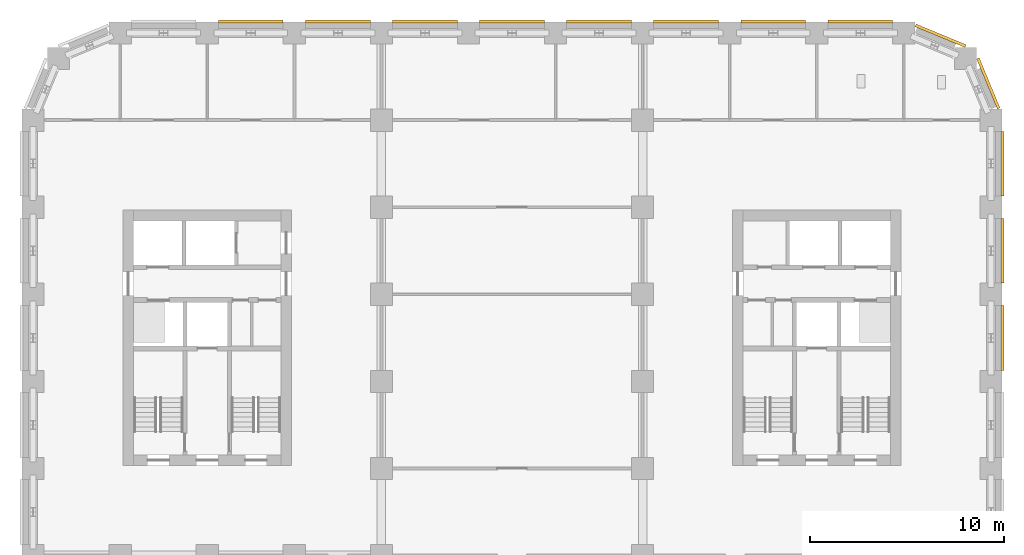
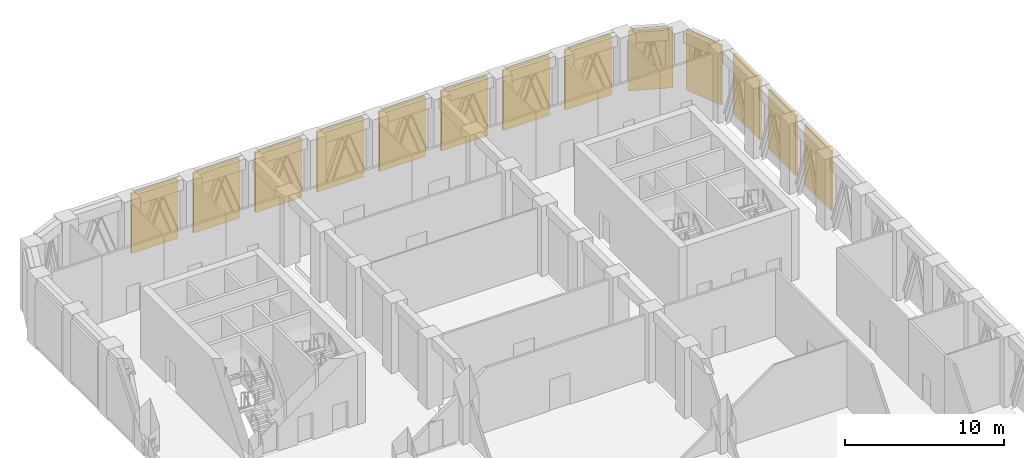
# One storey, part 9 of 11: 13 shading devices.
"""IFC4 building model written with IfcOpenShell, lengths in metres."""

from ifc_helpers import new_model, si_unit, direction, frame, origin, origin_2d, place, context, subcontext, project, spatial, rectangle, extrude, material, type_object, element, save


model = new_model("IFC4")

# Units and contexts
model_context = context("Model", 3, precision=1e-05, world=origin(), true_north=direction((0.0, 1.0)))
body_context = subcontext(model_context, "Body", "Model", "MODEL_VIEW")
ifc_project = project(units=[si_unit("LENGTHUNIT", "METRE"), si_unit("AREAUNIT", "SQUARE_METRE"), si_unit("VOLUMEUNIT", "CUBIC_METRE"), si_unit("PLANEANGLEUNIT", "RADIAN"), si_unit("MASSUNIT", "GRAM", prefix="KILO")], contexts=[model_context])

# Site, building, storey
site_placement = place(None, origin())
site = spatial("IfcSite", under=ifc_project, at=site_placement, CompositionType="ELEMENT")
building_placement = place(site_placement, origin())
building = spatial("IfcBuilding", under=site, at=building_placement, Name="Girih Gate Residences", CompositionType="ELEMENT")
storey_placement = place(building_placement, frame((0.0, 0.0, 124.800048828125)))
storey = spatial("IfcBuildingStorey", under=building, at=storey_placement, Name="L35", CompositionType="ELEMENT", Elevation=124.800048828125)

# Shading devices
ifc_material = material(Name="Aluminium louvre", Category="aluminium")
shading_device_type = type_object("IfcShadingDeviceType", Name="Plant louvre band", PredefinedType="USERDEFINED", material=ifc_material)
for number, where, z_axis, x_axis, name in (
    (1, (50.10009765625, 33.75, 0.39990234375), (0.0, 0.0, 1.0), (0.0, 1.0, 0.0), "Plant louvre E0495_0045.6"),
    (2, (50.10009765625, 38.25, 0.39990234375), (0.0, 0.0, 1.0), (0.0, 1.0, 0.0), "Plant louvre E0495_0045.7"),
    (3, (50.10009765625, 42.75, 0.39990234375), (0.0, 0.0, 1.0), (0.0, 1.0, 0.0), "Plant louvre E0495_0045.8"),
):
    element("IfcShadingDevice", number, at=place(storey_placement, frame(where, z_axis=z_axis, x_axis=x_axis)), inside=storey, type_object=shading_device_type, Name=name, ObjectType="LOUVRE", PredefinedType="USERDEFINED", context=body_context, shape_type="SweptSolid", body=[
        extrude(rectangle(XDim=3.35009765625, YDim=0.14990234375, at=origin_2d()), origin(), (0.0, 0.0, 1.0), 4.60009765625),
    ])
for number, where, z_axis, x_axis, name in (
    (4, (49.36279296875, 46.899169921875, 0.39990234375), (0.0, 0.0, 1.0), (-0.382683432365, 0.923879532511, 0.0), "Plant louvre NE0495_0450.0"),
    (5, (46.899169921875, 49.36279296875, 0.39990234375), (0.0, 0.0, 1.0), (-0.923879532511, 0.382683432365, 0.0), "Plant louvre NE0482_0482.0"),
):
    element("IfcShadingDevice", number, at=place(storey_placement, frame(where, z_axis=z_axis, x_axis=x_axis)), inside=storey, type_object=shading_device_type, Name=name, ObjectType="LOUVRE", PredefinedType="USERDEFINED", context=body_context, shape_type="SweptSolid", body=[
        extrude(rectangle(XDim=2.80419921875, YDim=0.14990234375, at=origin_2d()), origin(), (0.0, 0.0, 1.0), 4.60009765625),
    ])
for number, where, z_axis, x_axis, name in (
    (6, (42.75, 50.10009765625, 0.39990234375), (0.0, 0.0, 1.0), (-1.0, 0.0, 0.0), "Plant louvre N0450_0495.0"),
    (7, (38.25, 50.10009765625, 0.39990234375), (0.0, 0.0, 1.0), (-1.0, 0.0, 0.0), "Plant louvre N0450_0495.1"),
    (8, (33.75, 50.10009765625, 0.39990234375), (0.0, 0.0, 1.0), (-1.0, 0.0, 0.0), "Plant louvre N0450_0495.2"),
    (9, (29.25, 50.10009765625, 0.39990234375), (0.0, 0.0, 1.0), (-1.0, 0.0, 0.0), "Plant louvre N0450_0495.3"),
    (10, (24.75, 50.10009765625, 0.39990234375), (0.0, 0.0, 1.0), (-1.0, 0.0, 0.0), "Plant louvre N0450_0495.4"),
    (11, (20.25, 50.10009765625, 0.39990234375), (0.0, 0.0, 1.0), (-1.0, 0.0, 0.0), "Plant louvre N0450_0495.5"),
    (12, (15.75, 50.10009765625, 0.39990234375), (0.0, 0.0, 1.0), (-1.0, 0.0, 0.0), "Plant louvre N0450_0495.6"),
    (13, (11.25, 50.10009765625, 0.39990234375), (0.0, 0.0, 1.0), (-1.0, 0.0, 0.0), "Plant louvre N0450_0495.7"),
):
    element("IfcShadingDevice", number, at=place(storey_placement, frame(where, z_axis=z_axis, x_axis=x_axis)), inside=storey, type_object=shading_device_type, Name=name, ObjectType="LOUVRE", PredefinedType="USERDEFINED", context=body_context, shape_type="SweptSolid", body=[
        extrude(rectangle(XDim=3.35009765625, YDim=0.14990234375, at=origin_2d()), origin(), (0.0, 0.0, 1.0), 4.60009765625),
    ])

save(model, "model.ifc")
